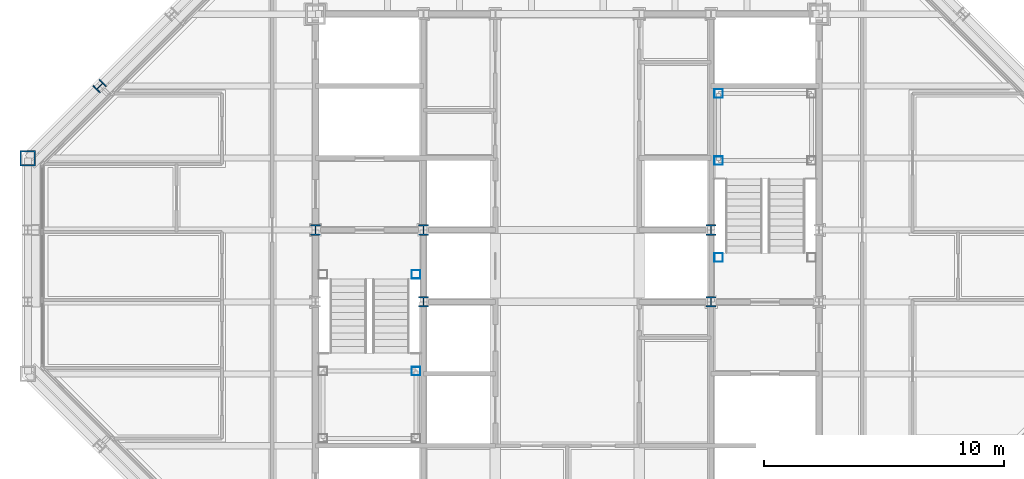
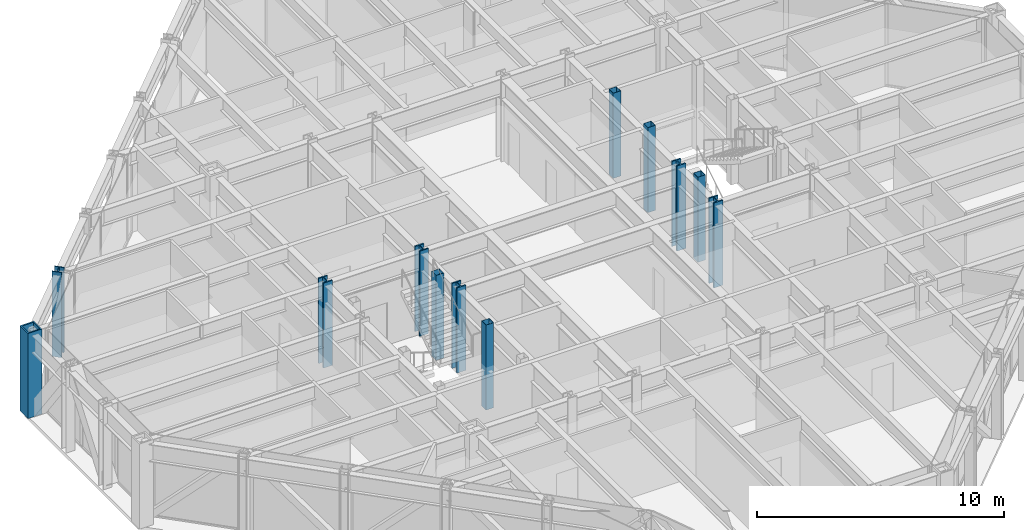
# One storey, part 2 of 15: 12 columns.
"""IFC4 building model written with IfcOpenShell, lengths in metres."""

from ifc_helpers import new_model, si_unit, direction, frame, origin, origin_2d, place, context, subcontext, project, spatial, hollow_rectangle, i_section, extrude, material, material_profile, profile_set, type_object, element, save


model = new_model("IFC4")

# Units and contexts
model_context = context("Model", 3, precision=1e-05, world=origin(), true_north=direction((0.0, 1.0)))
body_context = subcontext(model_context, "Body", "Model", "MODEL_VIEW")
ifc_project = project(units=[si_unit("LENGTHUNIT", "METRE"), si_unit("AREAUNIT", "SQUARE_METRE"), si_unit("VOLUMEUNIT", "CUBIC_METRE"), si_unit("PLANEANGLEUNIT", "RADIAN"), si_unit("MASSUNIT", "GRAM", prefix="KILO")], contexts=[model_context])

# Site, building, storey
site_placement = place(None, origin())
site = spatial("IfcSite", under=ifc_project, at=site_placement, CompositionType="ELEMENT")
building_placement = place(site_placement, origin())
building = spatial("IfcBuilding", under=site, at=building_placement, Name="Chuquiago Exchange Tower", CompositionType="ELEMENT")
storey_placement = place(building_placement, frame((0.0, 0.0, 283.199951171875)))
storey = spatial("IfcBuildingStorey", under=building, at=storey_placement, Name="L63", CompositionType="ELEMENT", Elevation=283.199951171875)

# Columns
ifc_material_1 = material(Name="Steel ASTM A992", Category="steel")
ifc_material_profile_1 = material_profile(ifc_material_1, i_section(OverallWidth=0.41650390625, OverallDepth=0.444580078125, WebThickness=0.0390625, FlangeThickness=0.062744140625, at=origin_2d()), Name="W14X342")
ifc_profile_set_1 = profile_set([ifc_material_profile_1], Name="Steel ASTM A992")
column_type_1 = type_object("IfcColumnType", Name="CC9 W14X342", PredefinedType="COLUMN", material=ifc_profile_set_1)
for number, where, z_axis, x_axis, name in (
    (1, (12.0, 24.0, 0.0), (0.0, 0.0, 1.0), (1.0, 0.0, 0.0), "CCOL-L63-12_24"),
    (2, (16.5, 21.0, 0.0), (0.0, 0.0, 1.0), (1.0, 0.0, 0.0), "CCOL-L63-16.5_21"),
    (3, (16.5, 24.0, 0.0), (0.0, 0.0, 1.0), (1.0, 0.0, 0.0), "CCOL-L63-16.5_24"),
    (4, (28.5, 21.0, 0.0), (0.0, 0.0, 1.0), (1.0, 0.0, 0.0), "CCOL-L63-28.5_21"),
    (5, (28.5, 24.0, 0.0), (0.0, 0.0, 1.0), (1.0, 0.0, 0.0), "CCOL-L63-28.5_24"),
):
    element("IfcColumn", number, at=place(storey_placement, frame(where, z_axis=z_axis, x_axis=x_axis)), inside=storey, type_object=column_type_1, Name=name, PredefinedType="COLUMN", context=body_context, shape_type="SweptSolid", body=[
        extrude(i_section(OverallWidth=0.41650390625, OverallDepth=0.444580078125, WebThickness=0.0390625, FlangeThickness=0.062744140625, at=origin_2d()), origin(), (0.0, 0.0, 1.0), 4.199951171875),
    ])
ifc_material_2 = material(Name="Steel ASTM A992", Category="steel")
ifc_material_profile_2 = material_profile(ifc_material_2, i_section(OverallWidth=0.40380859375, OverallDepth=0.406494140625, WebThickness=0.027099609375, FlangeThickness=0.043701171875, at=origin_2d()), Name="W14X233")
ifc_profile_set_2 = profile_set([ifc_material_profile_2], Name="Steel ASTM A992")
column_type_2 = type_object("IfcColumnType", Name="CK8 W14X233", PredefinedType="COLUMN", material=ifc_profile_set_2)
column_1_placement = place(storey_placement, frame((3.0, 30.0, 0.0), z_axis=(0.0, 0.0, 1.0), x_axis=(-0.707106781187, 0.707106781187, 0.0)))
element("IfcColumn", 6, at=column_1_placement, inside=storey, type_object=column_type_2, Name="COL-L63-3_30", PredefinedType="COLUMN", context=body_context, shape_type="SweptSolid", body=[
    extrude(i_section(OverallWidth=0.40380859375, OverallDepth=0.406494140625, WebThickness=0.027099609375, FlangeThickness=0.043701171875, at=origin_2d()), origin(), (0.0, 0.0, 1.0), 4.199951171875),
])
ifc_material_3 = material(Name="Steel ASTM A572 Grade 50", Category="steel")
ifc_material_profile_3 = material_profile(ifc_material_3, hollow_rectangle(XDim=0.64990234375, YDim=0.64990234375, WallThickness=0.06494140625, at=origin_2d()), Name="BOX650X650X65")
ifc_profile_set_3 = profile_set([ifc_material_profile_3], Name="Steel ASTM A572 Grade 50")
column_type_3 = type_object("IfcColumnType", Name="CN2 BOX650X650X65", PredefinedType="COLUMN", material=ifc_profile_set_3)
column_2_placement = place(storey_placement, frame((0.0, 27.0, 0.0), z_axis=(0.0, 0.0, 1.0), x_axis=(-1.0, 0.0, 0.0)))
element("IfcColumn", 7, at=column_2_placement, inside=storey, type_object=column_type_3, Name="COL-L63-0_27", PredefinedType="COLUMN", context=body_context, shape_type="SweptSolid", body=[
    extrude(hollow_rectangle(XDim=0.64990234375, YDim=0.64990234375, WallThickness=0.06494140625, at=origin_2d()), origin(), (0.0, 0.0, 1.0), 4.199951171875),
])
ifc_material_4 = material(Name="Steel ASTM A500 Grade C", Category="steel")
ifc_material_profile_4 = material_profile(ifc_material_4, hollow_rectangle(XDim=0.355712890625, YDim=0.355712890625, WallThickness=0.0087890625, at=origin_2d()), Name="HSS14X14X3/8")
ifc_profile_set_4 = profile_set([ifc_material_profile_4], Name="Steel ASTM A500 Grade C")
column_type_4 = type_object("IfcColumnType", Name="PT1 HSS14X14X3/8", PredefinedType="COLUMN", material=ifc_profile_set_4)
for number, where, z_axis, x_axis, name in (
    (8, (16.18994140625, 18.110107421875, 0.0), (0.0, 0.0, 1.0), (1.0, 0.0, 0.0), "Stair ST1 L63 landing post"),
    (9, (16.18994140625, 22.14990234375, 0.0), (0.0, 0.0, 1.0), (1.0, 0.0, 0.0), "Stair ST1 L63 landing post"),
    (10, (28.81005859375, 29.68994140625, 0.0), (0.0, 0.0, 1.0), (1.0, 0.0, 0.0), "Stair ST2 L63 landing post"),
    (11, (28.81005859375, 26.889892578125, 0.0), (0.0, 0.0, 1.0), (1.0, 0.0, 0.0), "Stair ST2 L63 landing post"),
    (12, (28.81005859375, 22.85009765625, 0.0), (0.0, 0.0, 1.0), (1.0, 0.0, 0.0), "Stair ST2 L63 landing post"),
):
    element("IfcColumn", number, at=place(storey_placement, frame(where, z_axis=z_axis, x_axis=x_axis)), inside=storey, type_object=column_type_4, Name=name, PredefinedType="COLUMN", context=body_context, shape_type="SweptSolid", body=[
        extrude(hollow_rectangle(XDim=0.355712890625, YDim=0.355712890625, WallThickness=0.0087890625, at=origin_2d()), origin(), (0.0, 0.0, 1.0), 4.199951171875),
    ])

save(model, "model.ifc")
